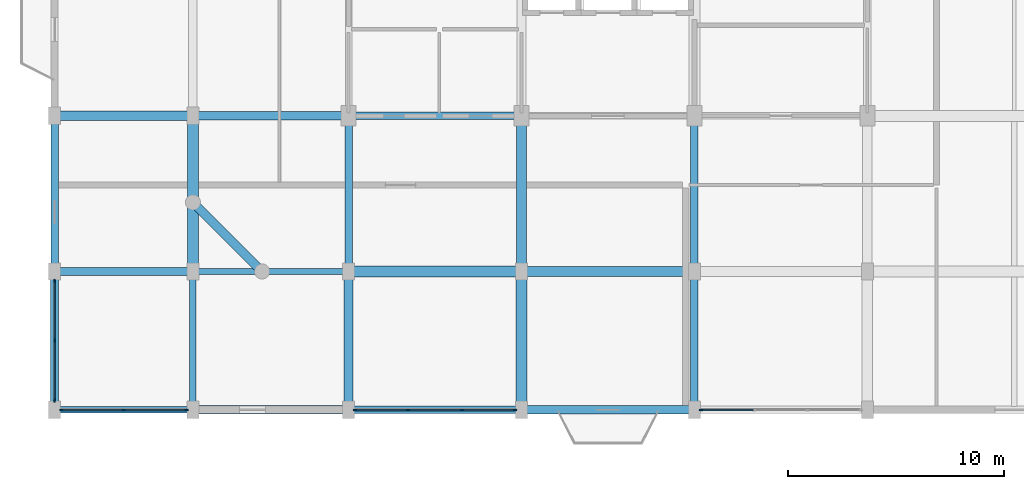
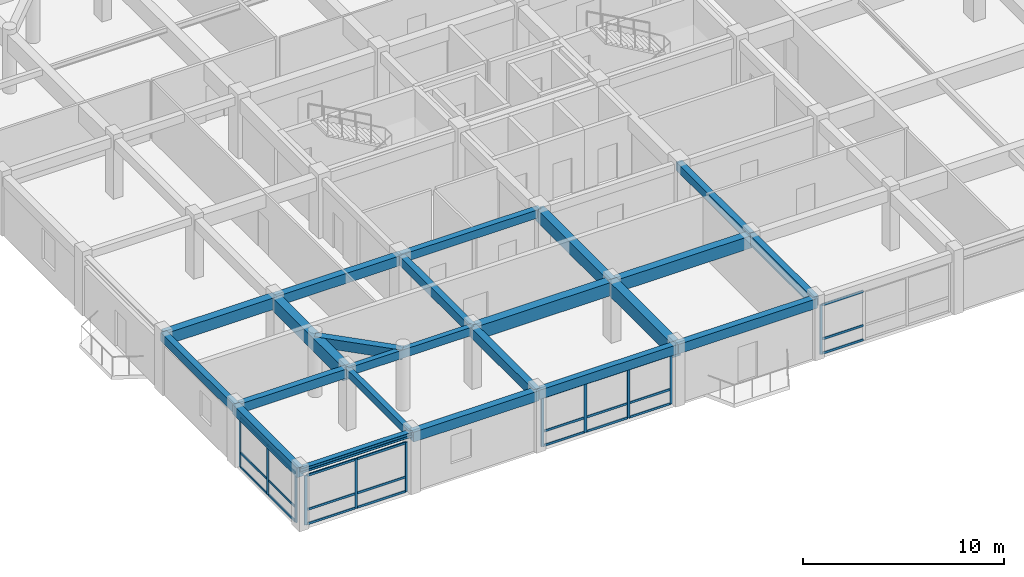
# One storey, part 2 of 15: 35 members, 22 beams, 4 elements without a shape of their own.
"""IFC4 building model written with IfcOpenShell, lengths in metres."""

from ifc_helpers import new_model, si_unit, direction, frame, origin, origin_2d, place, context, subcontext, project, spatial, rectangle, i_section, extrude, material, material_profile, profile_set, type_object, element, aggregate, save


model = new_model("IFC4")

# Units and contexts
model_context = context("Model", 3, precision=1e-05, world=origin(), true_north=direction((0.0, 1.0)))
body_context = subcontext(model_context, "Body", "Model", "MODEL_VIEW")
ifc_project = project(units=[si_unit("LENGTHUNIT", "METRE"), si_unit("AREAUNIT", "SQUARE_METRE"), si_unit("VOLUMEUNIT", "CUBIC_METRE"), si_unit("PLANEANGLEUNIT", "RADIAN"), si_unit("MASSUNIT", "GRAM", prefix="KILO")], contexts=[model_context])

# Site, building, storey
site_placement = place(None, origin())
site = spatial("IfcSite", under=ifc_project, at=site_placement, CompositionType="ELEMENT")
building_placement = place(site_placement, origin())
building = spatial("IfcBuilding", under=site, at=building_placement, Name="Vellmiral Cinema and Media Centre", CompositionType="ELEMENT")
storey_placement = place(building_placement, frame((0.0, 0.0, 35.60009765625)))
storey = spatial("IfcBuildingStorey", under=building, at=storey_placement, Name="L08", CompositionType="ELEMENT", Elevation=35.60009765625)

# Beams
ifc_material_1 = material(Name="Concrete C40/50", Category="concrete")
ifc_material_profile_1 = material_profile(ifc_material_1, rectangle(XDim=0.300048828125, YDim=0.449951171875, at=origin_2d()), Name="RC 300x450")
ifc_profile_set_1 = profile_set([ifc_material_profile_1], Name="Concrete C40/50")
beam_type_1 = type_object("IfcBeamType", Name="BM-RC-300x450", PredefinedType="BEAM", material=ifc_profile_set_1)
beam_1_placement = place(storey_placement, frame((116.800048828125, 65.60009765625, 3.369873046875), z_axis=(0.0, 1.0, 0.0), x_axis=(-1.0, 0.0, 0.0)))
element("IfcBeam", 1, at=beam_1_placement, inside=storey, type_object=beam_type_1, Name="Grid Beam L08-Y055", PredefinedType="BEAM", context=body_context, shape_type="SweptSolid", body=[
    extrude(rectangle(XDim=0.300048828125, YDim=0.449951171875, at=origin_2d()), origin(), (0.0, 0.0, 1.0), 6.39990234375),
])
ifc_material_2 = material(Name="Concrete C40/50", Category="concrete")
ifc_material_profile_2 = material_profile(ifc_material_2, rectangle(XDim=0.300048828125, YDim=0.5, at=origin_2d()), Name="RC 300x500")
ifc_profile_set_2 = profile_set([ifc_material_profile_2], Name="Concrete C40/50")
beam_type_2 = type_object("IfcBeamType", Name="BM-RC-300x500", PredefinedType="BEAM", material=ifc_profile_set_2)
beam_2_placement = place(storey_placement, frame((116.800048828125, 72.0, 3.344970703125), z_axis=(1.0, 0.0, 0.0), x_axis=(0.0, 1.0, 0.0)))
element("IfcBeam", 2, at=beam_2_placement, inside=storey, type_object=beam_type_2, Name="Grid Beam L08-X009", PredefinedType="BEAM", context=body_context, shape_type="SweptSolid", body=[
    extrude(rectangle(XDim=0.300048828125, YDim=0.5, at=origin_2d()), origin(), (0.0, 0.0, 1.0), 7.199951171875),
])
ifc_material_3 = material(Name="Concrete C40/50", Category="concrete")
ifc_material_profile_3 = material_profile(ifc_material_3, rectangle(XDim=0.35009765625, YDim=0.5, at=origin_2d()), Name="RC 350x500")
ifc_profile_set_3 = profile_set([ifc_material_profile_3], Name="Concrete C40/50")
beam_type_3 = type_object("IfcBeamType", Name="BM-RC-350x500", PredefinedType="BEAM", material=ifc_profile_set_3)
beam_3_placement = place(storey_placement, frame((124.0, 79.199951171875, 3.344970703125), z_axis=(1.0, 0.0, 0.0), x_axis=(0.0, 1.0, 0.0)))
element("IfcBeam", 3, at=beam_3_placement, inside=storey, type_object=beam_type_3, Name="Grid Beam L08-X017", PredefinedType="BEAM", context=body_context, shape_type="SweptSolid", body=[
    extrude(rectangle(XDim=0.35009765625, YDim=0.5, at=origin_2d()), origin(), (0.0, 0.0, 1.0), 8.0),
])
beam_4_placement = place(storey_placement, frame((140.0, 72.0, 3.344970703125), z_axis=(0.0, 1.0, 0.0), x_axis=(-1.0, 0.0, 0.0)))
element("IfcBeam", 4, at=beam_4_placement, inside=storey, type_object=beam_type_3, Name="Grid Beam L08-Y074", PredefinedType="BEAM", context=body_context, shape_type="SweptSolid", body=[
    extrude(rectangle(XDim=0.35009765625, YDim=0.5, at=origin_2d()), origin(), (0.0, 0.0, 1.0), 7.199951171875),
])
ifc_material_4 = material(Name="Concrete C40/50", Category="concrete")
ifc_material_profile_4 = material_profile(ifc_material_4, rectangle(XDim=0.35009765625, YDim=0.550048828125, at=origin_2d()), Name="RC 350x550")
ifc_profile_set_4 = profile_set([ifc_material_profile_4], Name="Concrete C40/50")
beam_type_4 = type_object("IfcBeamType", Name="BM-RC-350x550", PredefinedType="BEAM", material=ifc_profile_set_4)
beam_5_placement = place(storey_placement, frame((110.39990234375, 72.0, 3.31982421875), z_axis=(1.0, 0.0, 0.0), x_axis=(0.0, 1.0, 0.0)))
element("IfcBeam", 5, at=beam_5_placement, inside=storey, type_object=beam_type_4, Name="Grid Beam L08-X008", PredefinedType="BEAM", context=body_context, shape_type="SweptSolid", body=[
    extrude(rectangle(XDim=0.35009765625, YDim=0.550048828125, at=origin_2d()), origin(), (0.0, 0.0, 1.0), 6.400146484375),
])
beam_6_placement = place(storey_placement, frame((124.0, 72.0, 3.31982421875), z_axis=(0.0, 1.0, 0.0), x_axis=(-1.0, 0.0, 0.0)))
element("IfcBeam", 6, at=beam_6_placement, inside=storey, type_object=beam_type_4, Name="Grid Beam L08-Y062", PredefinedType="BEAM", context=body_context, shape_type="SweptSolid", body=[
    extrude(rectangle(XDim=0.35009765625, YDim=0.550048828125, at=origin_2d()), origin(), (0.0, 0.0, 1.0), 7.199951171875),
])
ifc_material_5 = material(Name="Concrete C40/50", Category="concrete")
ifc_material_profile_5 = material_profile(ifc_material_5, rectangle(XDim=0.35009765625, YDim=0.60009765625, at=origin_2d()), Name="RC 350x600")
ifc_profile_set_5 = profile_set([ifc_material_profile_5], Name="Concrete C40/50")
beam_type_5 = type_object("IfcBeamType", Name="BM-RC-350x600", PredefinedType="BEAM", material=ifc_profile_set_5)
beam_7_placement = place(storey_placement, frame((140.0, 65.60009765625, 3.294921875), z_axis=(0.0, 1.0, 0.0), x_axis=(-1.0, 0.0, 0.0)))
element("IfcBeam", 7, at=beam_7_placement, inside=storey, type_object=beam_type_5, Name="Grid Beam L08-Y073", PredefinedType="BEAM", context=body_context, shape_type="SweptSolid", body=[
    extrude(rectangle(XDim=0.35009765625, YDim=0.60009765625, at=origin_2d()), origin(), (0.0, 0.0, 1.0), 6.39990234375),
])
ifc_material_6 = material(Name="Concrete C40/50", Category="concrete")
ifc_material_profile_6 = material_profile(ifc_material_6, rectangle(XDim=0.39990234375, YDim=0.60009765625, at=origin_2d()), Name="RC 400x600")
ifc_profile_set_6 = profile_set([ifc_material_profile_6], Name="Concrete C40/50")
beam_type_6 = type_object("IfcBeamType", Name="BM-RC-400x600", PredefinedType="BEAM", material=ifc_profile_set_6)
beam_8_placement = place(storey_placement, frame((116.800048828125, 79.199951171875, 3.294921875), z_axis=(1.0, 0.0, 0.0), x_axis=(0.0, 1.0, 0.0)))
element("IfcBeam", 8, at=beam_8_placement, inside=storey, type_object=beam_type_6, Name="Grid Beam L08-X016", PredefinedType="BEAM", context=body_context, shape_type="SweptSolid", body=[
    extrude(rectangle(XDim=0.39990234375, YDim=0.60009765625, at=origin_2d()), origin(), (0.0, 0.0, 1.0), 7.199951171875),
])
beam_9_placement = place(storey_placement, frame((124.0, 65.60009765625, 3.294921875), z_axis=(0.0, 1.0, 0.0), x_axis=(-1.0, 0.0, 0.0)))
element("IfcBeam", 9, at=beam_9_placement, inside=storey, type_object=beam_type_6, Name="Grid Beam L08-Y061", PredefinedType="BEAM", context=body_context, shape_type="SweptSolid", body=[
    extrude(rectangle(XDim=0.39990234375, YDim=0.60009765625, at=origin_2d()), origin(), (0.0, 0.0, 1.0), 6.39990234375),
])
ifc_material_7 = material(Name="Concrete C40/50", Category="concrete")
ifc_material_profile_7 = material_profile(ifc_material_7, rectangle(XDim=0.449951171875, YDim=0.699951171875, at=origin_2d()), Name="RC 450x700")
ifc_profile_set_7 = profile_set([ifc_material_profile_7], Name="Concrete C40/50")
beam_type_7 = type_object("IfcBeamType", Name="BM-RC-450x700", PredefinedType="BEAM", material=ifc_profile_set_7)
beam_10_placement = place(storey_placement, frame((110.39990234375, 79.199951171875, 3.244873046875), z_axis=(1.0, 0.0, 0.0), x_axis=(0.0, 1.0, 0.0)))
element("IfcBeam", 10, at=beam_10_placement, inside=storey, type_object=beam_type_7, Name="Grid Beam L08-X015", PredefinedType="BEAM", context=body_context, shape_type="SweptSolid", body=[
    extrude(rectangle(XDim=0.449951171875, YDim=0.699951171875, at=origin_2d()), origin(), (0.0, 0.0, 1.0), 6.400146484375),
])
ifc_material_8 = material(Name="Concrete C40/50", Category="concrete")
ifc_material_profile_8 = material_profile(ifc_material_8, rectangle(XDim=0.449951171875, YDim=0.75, at=origin_2d()), Name="RC 450x750")
ifc_profile_set_8 = profile_set([ifc_material_profile_8], Name="Concrete C40/50")
beam_type_8 = type_object("IfcBeamType", Name="BM-RC-450x750", PredefinedType="BEAM", material=ifc_profile_set_8)
beam_11_placement = place(storey_placement, frame((132.0, 72.0, 3.219970703125), z_axis=(1.0, 0.0, 0.0), x_axis=(0.0, 1.0, 0.0)))
element("IfcBeam", 11, at=beam_11_placement, inside=storey, type_object=beam_type_8, Name="Grid Beam L08-X011", PredefinedType="BEAM", context=body_context, shape_type="SweptSolid", body=[
    extrude(rectangle(XDim=0.449951171875, YDim=0.75, at=origin_2d()), origin(), (0.0, 0.0, 1.0), 8.0),
])
beam_12_placement = place(storey_placement, frame((132.0, 72.0, 3.219970703125), z_axis=(0.0, 1.0, 0.0), x_axis=(-1.0, 0.0, 0.0)))
element("IfcBeam", 12, at=beam_12_placement, inside=storey, type_object=beam_type_8, Name="Grid Beam L08-Y068", PredefinedType="BEAM", context=body_context, shape_type="SweptSolid", body=[
    extrude(rectangle(XDim=0.449951171875, YDim=0.75, at=origin_2d()), origin(), (0.0, 0.0, 1.0), 7.199951171875),
])
ifc_material_9 = material(Name="Concrete C40/50", Category="concrete")
ifc_material_profile_9 = material_profile(ifc_material_9, rectangle(XDim=0.5, YDim=0.800048828125, at=origin_2d()), Name="RC 500x800")
ifc_profile_set_9 = profile_set([ifc_material_profile_9], Name="Concrete C40/50")
beam_type_9 = type_object("IfcBeamType", Name="BM-RC-500x800", PredefinedType="BEAM", material=ifc_profile_set_9)
beam_13_placement = place(storey_placement, frame((124.0, 72.0, 3.19482421875), z_axis=(1.0, 0.0, 0.0), x_axis=(0.0, 1.0, 0.0)))
element("IfcBeam", 13, at=beam_13_placement, inside=storey, type_object=beam_type_9, Name="Grid Beam L08-X010", PredefinedType="BEAM", context=body_context, shape_type="SweptSolid", body=[
    extrude(rectangle(XDim=0.5, YDim=0.800048828125, at=origin_2d()), origin(), (0.0, 0.0, 1.0), 8.0),
])
beam_14_placement = place(storey_placement, frame((116.800048828125, 72.0, 3.19482421875), z_axis=(0.0, 1.0, 0.0), x_axis=(-1.0, 0.0, 0.0)))
element("IfcBeam", 14, at=beam_14_placement, inside=storey, type_object=beam_type_9, Name="Grid Beam L08-Y056", PredefinedType="BEAM", context=body_context, shape_type="SweptSolid", body=[
    extrude(rectangle(XDim=0.5, YDim=0.800048828125, at=origin_2d()), origin(), (0.0, 0.0, 1.0), 7.199951171875),
])
ifc_material_10 = material(Name="Concrete C40/50", Category="concrete")
ifc_material_profile_10 = material_profile(ifc_material_10, rectangle(XDim=0.5, YDim=0.85009765625, at=origin_2d()), Name="RC 500x850")
ifc_profile_set_10 = profile_set([ifc_material_profile_10], Name="Concrete C40/50")
beam_type_10 = type_object("IfcBeamType", Name="BM-RC-500x850", PredefinedType="BEAM", material=ifc_profile_set_10)
beam_15_placement = place(storey_placement, frame((132.0, 65.60009765625, 3.169921875), z_axis=(0.0, 1.0, 0.0), x_axis=(-1.0, 0.0, 0.0)))
element("IfcBeam", 15, at=beam_15_placement, inside=storey, type_object=beam_type_10, Name="Grid Beam L08-Y067", PredefinedType="BEAM", context=body_context, shape_type="SweptSolid", body=[
    extrude(rectangle(XDim=0.5, YDim=0.85009765625, at=origin_2d()), origin(), (0.0, 0.0, 1.0), 6.39990234375),
])

# Curtain wall, members
ifc_material_11 = material(Name="Thermally Broken Aluminium and Triple Glazing", Category="aluminium")
curtain_wall_type_1 = type_object("IfcCurtainWallType", Name="CW-TOWER-LOW-S", PredefinedType="USERDEFINED", material=ifc_material_11)
curtain_wall_1_placement = place(storey_placement, origin())
curtain_wall_1 = element("IfcCurtainWall", 16, at=curtain_wall_1_placement, inside=storey, type_object=curtain_wall_type_1, Name="Curtain Wall L08-B001", ObjectType="UNITISED CURTAIN WALL", PredefinedType="USERDEFINED")
ifc_material_12 = material(Name="Thermally Broken Anodised Aluminium", Category="aluminium")
ifc_material_profile_11 = material_profile(ifc_material_12, rectangle(XDim=0.06494140625, YDim=0.159912109375, at=origin_2d()), Name="MULL 65x160")
ifc_profile_set_11 = profile_set([ifc_material_profile_11], Name="Thermally Broken Anodised Aluminium")
member_type_1 = type_object("IfcMemberType", Name="CWM-65x160", PredefinedType="MULLION", material=ifc_profile_set_11)
member_1_placement = place(storey_placement, frame((110.70751953125, 65.60009765625, 0.0), z_axis=(0.0, 0.0, 1.0), x_axis=(0.0, 1.0, 0.0)))
member_1 = element("IfcMember", 17, at=member_1_placement, type_object=member_type_1, Name="CW-06 mullion 1", PredefinedType="MULLION", context=body_context, shape_type="SweptSolid", body=[
    extrude(rectangle(XDim=0.06494140625, YDim=0.159912109375, at=origin_2d()), origin(), (0.0, 0.0, 1.0), 3.0),
])
member_2_placement = place(storey_placement, frame((113.60009765625, 65.60009765625, 0.0), z_axis=(0.0, 0.0, 1.0), x_axis=(0.0, 1.0, 0.0)))
member_2 = element("IfcMember", 18, at=member_2_placement, type_object=member_type_1, Name="CW-06 mullion 2", PredefinedType="MULLION", context=body_context, shape_type="SweptSolid", body=[
    extrude(rectangle(XDim=0.06494140625, YDim=0.159912109375, at=origin_2d()), origin(), (0.0, 0.0, 1.0), 3.0),
])
member_3_placement = place(storey_placement, frame((116.492431640625, 65.60009765625, 0.0), z_axis=(0.0, 0.0, 1.0), x_axis=(0.0, 1.0, 0.0)))
member_3 = element("IfcMember", 19, at=member_3_placement, type_object=member_type_1, Name="CW-06 mullion 3", PredefinedType="MULLION", context=body_context, shape_type="SweptSolid", body=[
    extrude(rectangle(XDim=0.06494140625, YDim=0.159912109375, at=origin_2d()), origin(), (0.0, 0.0, 1.0), 3.0),
])

curtain_wall_2_placement = place(storey_placement, origin())
curtain_wall_2 = element("IfcCurtainWall", 20, at=curtain_wall_2_placement, inside=storey, type_object=curtain_wall_type_1, Name="Curtain Wall L08-B003", ObjectType="UNITISED CURTAIN WALL", PredefinedType="USERDEFINED")
member_4_placement = place(storey_placement, frame((124.3076171875, 65.60009765625, 0.0), z_axis=(0.0, 0.0, 1.0), x_axis=(0.0, 1.0, 0.0)))
member_4 = element("IfcMember", 21, at=member_4_placement, type_object=member_type_1, Name="CW-06 mullion 1", PredefinedType="MULLION", context=body_context, shape_type="SweptSolid", body=[
    extrude(rectangle(XDim=0.06494140625, YDim=0.159912109375, at=origin_2d()), origin(), (0.0, 0.0, 1.0), 3.0),
])
member_5_placement = place(storey_placement, frame((126.75830078125, 65.60009765625, 0.0), z_axis=(0.0, 0.0, 1.0), x_axis=(0.0, 1.0, 0.0)))
member_5 = element("IfcMember", 22, at=member_5_placement, type_object=member_type_1, Name="CW-06 mullion 2", PredefinedType="MULLION", context=body_context, shape_type="SweptSolid", body=[
    extrude(rectangle(XDim=0.06494140625, YDim=0.159912109375, at=origin_2d()), origin(), (0.0, 0.0, 1.0), 3.0),
])
member_6_placement = place(storey_placement, frame((129.24169921875, 65.60009765625, 0.0), z_axis=(0.0, 0.0, 1.0), x_axis=(0.0, 1.0, 0.0)))
member_6 = element("IfcMember", 23, at=member_6_placement, type_object=member_type_1, Name="CW-06 mullion 3", PredefinedType="MULLION", context=body_context, shape_type="SweptSolid", body=[
    extrude(rectangle(XDim=0.06494140625, YDim=0.159912109375, at=origin_2d()), origin(), (0.0, 0.0, 1.0), 3.0),
])
member_7_placement = place(storey_placement, frame((131.6923828125, 65.60009765625, 0.0), z_axis=(0.0, 0.0, 1.0), x_axis=(0.0, 1.0, 0.0)))
member_7 = element("IfcMember", 24, at=member_7_placement, type_object=member_type_1, Name="CW-06 mullion 4", PredefinedType="MULLION", context=body_context, shape_type="SweptSolid", body=[
    extrude(rectangle(XDim=0.06494140625, YDim=0.159912109375, at=origin_2d()), origin(), (0.0, 0.0, 1.0), 3.0),
])

# Curtain wall, member
curtain_wall_3_placement = place(storey_placement, origin())
curtain_wall_3 = element("IfcCurtainWall", 25, at=curtain_wall_3_placement, inside=storey, type_object=curtain_wall_type_1, Name="Curtain Wall L08-B005", ObjectType="UNITISED CURTAIN WALL", PredefinedType="USERDEFINED")
member_8_placement = place(storey_placement, frame((140.3076171875, 65.60009765625, 0.0), z_axis=(0.0, 0.0, 1.0), x_axis=(0.0, 1.0, 0.0)))
member_8 = element("IfcMember", 26, at=member_8_placement, type_object=member_type_1, Name="CW-06 mullion 1", PredefinedType="MULLION", context=body_context, shape_type="SweptSolid", body=[
    extrude(rectangle(XDim=0.06494140625, YDim=0.159912109375, at=origin_2d()), origin(), (0.0, 0.0, 1.0), 3.0),
])

# Curtain wall, members
ifc_material_13 = material(Name="Thermally Broken Aluminium and Triple Glazing", Category="aluminium")
curtain_wall_type_2 = type_object("IfcCurtainWallType", Name="CW-TOWER-LOW-N", PredefinedType="USERDEFINED", material=ifc_material_13)
curtain_wall_4_placement = place(storey_placement, origin())
curtain_wall_4 = element("IfcCurtainWall", 27, at=curtain_wall_4_placement, inside=storey, type_object=curtain_wall_type_2, Name="Curtain Wall L08-B029", ObjectType="UNITISED CURTAIN WALL", PredefinedType="USERDEFINED")
member_9_placement = place(storey_placement, frame((110.39990234375, 71.5673828125, 0.0), z_axis=(0.0, 0.0, 1.0), x_axis=(1.0, 0.0, 0.0)))
member_9 = element("IfcMember", 28, at=member_9_placement, type_object=member_type_1, Name="CW-05 mullion 1", PredefinedType="MULLION", context=body_context, shape_type="SweptSolid", body=[
    extrude(rectangle(XDim=0.06494140625, YDim=0.159912109375, at=origin_2d()), origin(), (0.0, 0.0, 1.0), 3.0),
])
member_10_placement = place(storey_placement, frame((110.39990234375, 68.800048828125, 0.0), z_axis=(0.0, 0.0, 1.0), x_axis=(1.0, 0.0, 0.0)))
member_10 = element("IfcMember", 29, at=member_10_placement, type_object=member_type_1, Name="CW-05 mullion 2", PredefinedType="MULLION", context=body_context, shape_type="SweptSolid", body=[
    extrude(rectangle(XDim=0.06494140625, YDim=0.159912109375, at=origin_2d()), origin(), (0.0, 0.0, 1.0), 3.0),
])
member_11_placement = place(storey_placement, frame((110.39990234375, 66.032470703125, 0.0), z_axis=(0.0, 0.0, 1.0), x_axis=(1.0, 0.0, 0.0)))
member_11 = element("IfcMember", 30, at=member_11_placement, type_object=member_type_1, Name="CW-05 mullion 3", PredefinedType="MULLION", context=body_context, shape_type="SweptSolid", body=[
    extrude(rectangle(XDim=0.06494140625, YDim=0.159912109375, at=origin_2d()), origin(), (0.0, 0.0, 1.0), 3.0),
])

# Member
ifc_material_14 = material(Name="Thermally Broken Anodised Aluminium", Category="aluminium")
ifc_material_profile_12 = material_profile(ifc_material_14, rectangle(XDim=0.06494140625, YDim=0.135009765625, at=origin_2d()), Name="MULL 65x135")
ifc_profile_set_12 = profile_set([ifc_material_profile_12], Name="Thermally Broken Anodised Aluminium")
member_type_2 = type_object("IfcMemberType", Name="CWT-65x135", PredefinedType="USERDEFINED", material=ifc_profile_set_12)
member_12_placement = place(storey_placement, frame((110.739990234375, 65.60009765625, 0.032470703125), z_axis=(1.0, 0.0, 0.0), x_axis=(0.0, 1.0, 0.0)))
member_12 = element("IfcMember", 31, at=member_12_placement, type_object=member_type_2, Name="CW-06 transom 1.1", ObjectType="TRANSOM", PredefinedType="USERDEFINED", context=body_context, shape_type="SweptSolid", body=[
    extrude(rectangle(XDim=0.06494140625, YDim=0.135009765625, at=origin_2d()), origin(), (0.0, 0.0, 1.0), 2.827392578125),
])

member_13_placement = place(storey_placement, frame((110.739990234375, 65.60009765625, 0.89990234375), z_axis=(1.0, 0.0, 0.0), x_axis=(0.0, 1.0, 0.0)))
member_13 = element("IfcMember", 32, at=member_13_placement, type_object=member_type_2, Name="CW-06 transom 1.2", ObjectType="TRANSOM", PredefinedType="USERDEFINED", context=body_context, shape_type="SweptSolid", body=[
    extrude(rectangle(XDim=0.06494140625, YDim=0.135009765625, at=origin_2d()), origin(), (0.0, 0.0, 1.0), 2.827392578125),
])

member_14_placement = place(storey_placement, frame((110.739990234375, 65.60009765625, 2.96728515625), z_axis=(1.0, 0.0, 0.0), x_axis=(0.0, 1.0, 0.0)))
member_14 = element("IfcMember", 33, at=member_14_placement, type_object=member_type_2, Name="CW-06 transom 1.3", ObjectType="TRANSOM", PredefinedType="USERDEFINED", context=body_context, shape_type="SweptSolid", body=[
    extrude(rectangle(XDim=0.06494140625, YDim=0.135009765625, at=origin_2d()), origin(), (0.0, 0.0, 1.0), 2.827392578125),
])

member_15_placement = place(storey_placement, frame((113.632568359375, 65.60009765625, 0.032470703125), z_axis=(1.0, 0.0, 0.0), x_axis=(0.0, 1.0, 0.0)))
member_15 = element("IfcMember", 34, at=member_15_placement, type_object=member_type_2, Name="CW-06 transom 2.1", ObjectType="TRANSOM", PredefinedType="USERDEFINED", context=body_context, shape_type="SweptSolid", body=[
    extrude(rectangle(XDim=0.06494140625, YDim=0.135009765625, at=origin_2d()), origin(), (0.0, 0.0, 1.0), 2.827392578125),
])

member_16_placement = place(storey_placement, frame((113.632568359375, 65.60009765625, 0.89990234375), z_axis=(1.0, 0.0, 0.0), x_axis=(0.0, 1.0, 0.0)))
member_16 = element("IfcMember", 35, at=member_16_placement, type_object=member_type_2, Name="CW-06 transom 2.2", ObjectType="TRANSOM", PredefinedType="USERDEFINED", context=body_context, shape_type="SweptSolid", body=[
    extrude(rectangle(XDim=0.06494140625, YDim=0.135009765625, at=origin_2d()), origin(), (0.0, 0.0, 1.0), 2.827392578125),
])

member_17_placement = place(storey_placement, frame((113.632568359375, 65.60009765625, 2.96728515625), z_axis=(1.0, 0.0, 0.0), x_axis=(0.0, 1.0, 0.0)))
member_17 = element("IfcMember", 36, at=member_17_placement, type_object=member_type_2, Name="CW-06 transom 2.3", ObjectType="TRANSOM", PredefinedType="USERDEFINED", context=body_context, shape_type="SweptSolid", body=[
    extrude(rectangle(XDim=0.06494140625, YDim=0.135009765625, at=origin_2d()), origin(), (0.0, 0.0, 1.0), 2.827392578125),
])

aggregate(curtain_wall_1, [member_1, member_2, member_3, member_12, member_13, member_14, member_15, member_16, member_17])

member_18_placement = place(storey_placement, frame((124.340087890625, 65.60009765625, 0.032470703125), z_axis=(1.0, 0.0, 0.0), x_axis=(0.0, 1.0, 0.0)))
member_18 = element("IfcMember", 37, at=member_18_placement, type_object=member_type_2, Name="CW-06 transom 1.1", ObjectType="TRANSOM", PredefinedType="USERDEFINED", context=body_context, shape_type="SweptSolid", body=[
    extrude(rectangle(XDim=0.06494140625, YDim=0.135009765625, at=origin_2d()), origin(), (0.0, 0.0, 1.0), 2.3857421875),
])

member_19_placement = place(storey_placement, frame((124.340087890625, 65.60009765625, 0.89990234375), z_axis=(1.0, 0.0, 0.0), x_axis=(0.0, 1.0, 0.0)))
member_19 = element("IfcMember", 38, at=member_19_placement, type_object=member_type_2, Name="CW-06 transom 1.2", ObjectType="TRANSOM", PredefinedType="USERDEFINED", context=body_context, shape_type="SweptSolid", body=[
    extrude(rectangle(XDim=0.06494140625, YDim=0.135009765625, at=origin_2d()), origin(), (0.0, 0.0, 1.0), 2.3857421875),
])

member_20_placement = place(storey_placement, frame((124.340087890625, 65.60009765625, 2.96728515625), z_axis=(1.0, 0.0, 0.0), x_axis=(0.0, 1.0, 0.0)))
member_20 = element("IfcMember", 39, at=member_20_placement, type_object=member_type_2, Name="CW-06 transom 1.3", ObjectType="TRANSOM", PredefinedType="USERDEFINED", context=body_context, shape_type="SweptSolid", body=[
    extrude(rectangle(XDim=0.06494140625, YDim=0.135009765625, at=origin_2d()), origin(), (0.0, 0.0, 1.0), 2.3857421875),
])

member_21_placement = place(storey_placement, frame((126.790771484375, 65.60009765625, 0.032470703125), z_axis=(1.0, 0.0, 0.0), x_axis=(0.0, 1.0, 0.0)))
member_21 = element("IfcMember", 40, at=member_21_placement, type_object=member_type_2, Name="CW-06 transom 2.1", ObjectType="TRANSOM", PredefinedType="USERDEFINED", context=body_context, shape_type="SweptSolid", body=[
    extrude(rectangle(XDim=0.06494140625, YDim=0.135009765625, at=origin_2d()), origin(), (0.0, 0.0, 1.0), 2.41845703125),
])

member_22_placement = place(storey_placement, frame((126.790771484375, 65.60009765625, 0.89990234375), z_axis=(1.0, 0.0, 0.0), x_axis=(0.0, 1.0, 0.0)))
member_22 = element("IfcMember", 41, at=member_22_placement, type_object=member_type_2, Name="CW-06 transom 2.2", ObjectType="TRANSOM", PredefinedType="USERDEFINED", context=body_context, shape_type="SweptSolid", body=[
    extrude(rectangle(XDim=0.06494140625, YDim=0.135009765625, at=origin_2d()), origin(), (0.0, 0.0, 1.0), 2.41845703125),
])

member_23_placement = place(storey_placement, frame((126.790771484375, 65.60009765625, 2.96728515625), z_axis=(1.0, 0.0, 0.0), x_axis=(0.0, 1.0, 0.0)))
member_23 = element("IfcMember", 42, at=member_23_placement, type_object=member_type_2, Name="CW-06 transom 2.3", ObjectType="TRANSOM", PredefinedType="USERDEFINED", context=body_context, shape_type="SweptSolid", body=[
    extrude(rectangle(XDim=0.06494140625, YDim=0.135009765625, at=origin_2d()), origin(), (0.0, 0.0, 1.0), 2.41845703125),
])

member_24_placement = place(storey_placement, frame((129.274169921875, 65.60009765625, 0.032470703125), z_axis=(1.0, 0.0, 0.0), x_axis=(0.0, 1.0, 0.0)))
member_24 = element("IfcMember", 43, at=member_24_placement, type_object=member_type_2, Name="CW-06 transom 3.1", ObjectType="TRANSOM", PredefinedType="USERDEFINED", context=body_context, shape_type="SweptSolid", body=[
    extrude(rectangle(XDim=0.06494140625, YDim=0.135009765625, at=origin_2d()), origin(), (0.0, 0.0, 1.0), 2.3857421875),
])

member_25_placement = place(storey_placement, frame((129.274169921875, 65.60009765625, 0.89990234375), z_axis=(1.0, 0.0, 0.0), x_axis=(0.0, 1.0, 0.0)))
member_25 = element("IfcMember", 44, at=member_25_placement, type_object=member_type_2, Name="CW-06 transom 3.2", ObjectType="TRANSOM", PredefinedType="USERDEFINED", context=body_context, shape_type="SweptSolid", body=[
    extrude(rectangle(XDim=0.06494140625, YDim=0.135009765625, at=origin_2d()), origin(), (0.0, 0.0, 1.0), 2.3857421875),
])

member_26_placement = place(storey_placement, frame((129.274169921875, 65.60009765625, 2.96728515625), z_axis=(1.0, 0.0, 0.0), x_axis=(0.0, 1.0, 0.0)))
member_26 = element("IfcMember", 45, at=member_26_placement, type_object=member_type_2, Name="CW-06 transom 3.3", ObjectType="TRANSOM", PredefinedType="USERDEFINED", context=body_context, shape_type="SweptSolid", body=[
    extrude(rectangle(XDim=0.06494140625, YDim=0.135009765625, at=origin_2d()), origin(), (0.0, 0.0, 1.0), 2.3857421875),
])

aggregate(curtain_wall_2, [member_4, member_5, member_6, member_7, member_18, member_19, member_20, member_21, member_22, member_23, member_24, member_25, member_26])

member_27_placement = place(storey_placement, frame((140.340087890625, 65.60009765625, 0.032470703125), z_axis=(1.0, 0.0, 0.0), x_axis=(0.0, 1.0, 0.0)))
member_27 = element("IfcMember", 46, at=member_27_placement, type_object=member_type_2, Name="CW-06 transom 1.1", ObjectType="TRANSOM", PredefinedType="USERDEFINED", context=body_context, shape_type="SweptSolid", body=[
    extrude(rectangle(XDim=0.06494140625, YDim=0.135009765625, at=origin_2d()), origin(), (0.0, 0.0, 1.0), 2.3857421875),
])

member_28_placement = place(storey_placement, frame((140.340087890625, 65.60009765625, 0.89990234375), z_axis=(1.0, 0.0, 0.0), x_axis=(0.0, 1.0, 0.0)))
member_28 = element("IfcMember", 47, at=member_28_placement, type_object=member_type_2, Name="CW-06 transom 1.2", ObjectType="TRANSOM", PredefinedType="USERDEFINED", context=body_context, shape_type="SweptSolid", body=[
    extrude(rectangle(XDim=0.06494140625, YDim=0.135009765625, at=origin_2d()), origin(), (0.0, 0.0, 1.0), 2.3857421875),
])

member_29_placement = place(storey_placement, frame((140.340087890625, 65.60009765625, 2.96728515625), z_axis=(1.0, 0.0, 0.0), x_axis=(0.0, 1.0, 0.0)))
member_29 = element("IfcMember", 48, at=member_29_placement, type_object=member_type_2, Name="CW-06 transom 1.3", ObjectType="TRANSOM", PredefinedType="USERDEFINED", context=body_context, shape_type="SweptSolid", body=[
    extrude(rectangle(XDim=0.06494140625, YDim=0.135009765625, at=origin_2d()), origin(), (0.0, 0.0, 1.0), 2.3857421875),
])

aggregate(curtain_wall_3, [member_8, member_27, member_28, member_29])

member_30_placement = place(storey_placement, frame((110.39990234375, 71.534912109375, 0.032470703125), z_axis=(0.0, -1.0, 0.0), x_axis=(1.0, 0.0, 0.0)))
member_30 = element("IfcMember", 49, at=member_30_placement, type_object=member_type_2, Name="CW-05 transom 1.1", ObjectType="TRANSOM", PredefinedType="USERDEFINED", context=body_context, shape_type="SweptSolid", body=[
    extrude(rectangle(XDim=0.06494140625, YDim=0.135009765625, at=origin_2d()), origin(), (0.0, 0.0, 1.0), 2.702392578125),
])

member_31_placement = place(storey_placement, frame((110.39990234375, 71.534912109375, 0.89990234375), z_axis=(0.0, -1.0, 0.0), x_axis=(1.0, 0.0, 0.0)))
member_31 = element("IfcMember", 50, at=member_31_placement, type_object=member_type_2, Name="CW-05 transom 1.2", ObjectType="TRANSOM", PredefinedType="USERDEFINED", context=body_context, shape_type="SweptSolid", body=[
    extrude(rectangle(XDim=0.06494140625, YDim=0.135009765625, at=origin_2d()), origin(), (0.0, 0.0, 1.0), 2.702392578125),
])

member_32_placement = place(storey_placement, frame((110.39990234375, 71.534912109375, 2.96728515625), z_axis=(0.0, -1.0, 0.0), x_axis=(1.0, 0.0, 0.0)))
member_32 = element("IfcMember", 51, at=member_32_placement, type_object=member_type_2, Name="CW-05 transom 1.3", ObjectType="TRANSOM", PredefinedType="USERDEFINED", context=body_context, shape_type="SweptSolid", body=[
    extrude(rectangle(XDim=0.06494140625, YDim=0.135009765625, at=origin_2d()), origin(), (0.0, 0.0, 1.0), 2.702392578125),
])

member_33_placement = place(storey_placement, frame((110.39990234375, 68.767578125, 0.032470703125), z_axis=(0.0, -1.0, 0.0), x_axis=(1.0, 0.0, 0.0)))
member_33 = element("IfcMember", 52, at=member_33_placement, type_object=member_type_2, Name="CW-05 transom 2.1", ObjectType="TRANSOM", PredefinedType="USERDEFINED", context=body_context, shape_type="SweptSolid", body=[
    extrude(rectangle(XDim=0.06494140625, YDim=0.135009765625, at=origin_2d()), origin(), (0.0, 0.0, 1.0), 2.70263671875),
])

member_34_placement = place(storey_placement, frame((110.39990234375, 68.767578125, 0.89990234375), z_axis=(0.0, -1.0, 0.0), x_axis=(1.0, 0.0, 0.0)))
member_34 = element("IfcMember", 53, at=member_34_placement, type_object=member_type_2, Name="CW-05 transom 2.2", ObjectType="TRANSOM", PredefinedType="USERDEFINED", context=body_context, shape_type="SweptSolid", body=[
    extrude(rectangle(XDim=0.06494140625, YDim=0.135009765625, at=origin_2d()), origin(), (0.0, 0.0, 1.0), 2.70263671875),
])

member_35_placement = place(storey_placement, frame((110.39990234375, 68.767578125, 2.96728515625), z_axis=(0.0, -1.0, 0.0), x_axis=(1.0, 0.0, 0.0)))
member_35 = element("IfcMember", 54, at=member_35_placement, type_object=member_type_2, Name="CW-05 transom 2.3", ObjectType="TRANSOM", PredefinedType="USERDEFINED", context=body_context, shape_type="SweptSolid", body=[
    extrude(rectangle(XDim=0.06494140625, YDim=0.135009765625, at=origin_2d()), origin(), (0.0, 0.0, 1.0), 2.70263671875),
])

aggregate(curtain_wall_4, [member_9, member_10, member_11, member_30, member_31, member_32, member_33, member_34, member_35])

# Beams
ifc_material_15 = material(Name="Steel S355", Category="steel")
ifc_material_profile_13 = material_profile(ifc_material_15, i_section(OverallWidth=0.300048828125, OverallDepth=0.300048828125, WebThickness=0.010986328125, FlangeThickness=0.01904296875, FilletRadius=0.027099609375, at=origin_2d()), Name="HEB 300")
ifc_profile_set_13 = profile_set([ifc_material_profile_13], Name="Steel S355")
beam_type_11 = type_object("IfcBeamType", Name="SBM-HEB300", PredefinedType="SPANDREL", material=ifc_profile_set_13)
beam_16_placement = place(storey_placement, frame((110.39990234375, 65.60009765625, 3.44482421875), z_axis=(1.0, 0.0, 0.0), x_axis=(0.0, 1.0, 0.0)))
element("IfcBeam", 55, at=beam_16_placement, inside=storey, type_object=beam_type_11, Name="Grid Beam L08-X001", PredefinedType="SPANDREL", context=body_context, shape_type="SweptSolid", body=[
    extrude(i_section(OverallWidth=0.300048828125, OverallDepth=0.300048828125, WebThickness=0.010986328125, FlangeThickness=0.01904296875, FilletRadius=0.027099609375, at=origin_2d()), origin(), (0.0, 0.0, 1.0), 6.400146484375),
])
ifc_material_16 = material(Name="Concrete C40/50", Category="concrete")
ifc_material_profile_14 = material_profile(ifc_material_16, rectangle(XDim=0.35009765625, YDim=0.56005859375, at=origin_2d()), Name="RC 350x560")
ifc_profile_set_14 = profile_set([ifc_material_profile_14], Name="Concrete C40/50")
beam_type_12 = type_object("IfcBeamType", Name="SPD-RC-350x560", PredefinedType="SPANDREL", material=ifc_profile_set_14)
beam_17_placement = place(storey_placement, frame((124.0, 65.60009765625, 3.31494140625), z_axis=(1.0, 0.0, 0.0), x_axis=(0.0, 1.0, 0.0)))
element("IfcBeam", 56, at=beam_17_placement, inside=storey, type_object=beam_type_12, Name="Grid Beam L08-X003", PredefinedType="SPANDREL", context=body_context, shape_type="SweptSolid", body=[
    extrude(rectangle(XDim=0.35009765625, YDim=0.56005859375, at=origin_2d()), origin(), (0.0, 0.0, 1.0), 8.0),
])
ifc_material_17 = material(Name="Concrete C40/50", Category="concrete")
ifc_material_profile_15 = material_profile(ifc_material_17, rectangle(XDim=0.39990234375, YDim=0.60009765625, at=origin_2d()), Name="RC 400x600")
ifc_profile_set_15 = profile_set([ifc_material_profile_15], Name="Concrete C40/50")
beam_type_13 = type_object("IfcBeamType", Name="SPD-RC-400x600", PredefinedType="SPANDREL", material=ifc_profile_set_15)
beam_18_placement = place(storey_placement, frame((116.800048828125, 65.60009765625, 3.294921875), z_axis=(1.0, 0.0, 0.0), x_axis=(0.0, 1.0, 0.0)))
element("IfcBeam", 57, at=beam_18_placement, inside=storey, type_object=beam_type_13, Name="Grid Beam L08-X002", PredefinedType="SPANDREL", context=body_context, shape_type="SweptSolid", body=[
    extrude(rectangle(XDim=0.39990234375, YDim=0.60009765625, at=origin_2d()), origin(), (0.0, 0.0, 1.0), 7.199951171875),
])
beam_19_placement = place(storey_placement, frame((116.800048828125, 75.199951171875, 3.294921875), z_axis=(0.707106781187, -0.707106781187, 0.0), x_axis=(0.707106781187, 0.707106781187, 0.0)))
element("IfcBeam", 58, at=beam_19_placement, inside=storey, type_object=beam_type_13, Name="Xamfra Chamfer Spandrel Beam L08-096", PredefinedType="SPANDREL", context=body_context, shape_type="SweptSolid", body=[
    extrude(rectangle(XDim=0.39990234375, YDim=0.60009765625, at=origin_2d()), origin(), (0.0, 0.0, 1.0), 4.525390625),
])
ifc_material_18 = material(Name="Vosges Red Sandstone Masonry", Category="masonry")
ifc_material_profile_16 = material_profile(ifc_material_18, rectangle(XDim=0.340087890625, YDim=0.52001953125, at=origin_2d()), Name="SAND 340x520")
ifc_profile_set_16 = profile_set([ifc_material_profile_16], Name="Vosges Red Sandstone Masonry")
beam_type_14 = type_object("IfcBeamType", Name="SPD-SAND-340x520", PredefinedType="SPANDREL", material=ifc_profile_set_16)
beam_20_placement = place(storey_placement, frame((110.39990234375, 72.0, 3.3349609375), z_axis=(0.0, 1.0, 0.0), x_axis=(-1.0, 0.0, 0.0)))
element("IfcBeam", 59, at=beam_20_placement, inside=storey, type_object=beam_type_14, Name="Grid Beam L08-Y050", PredefinedType="SPANDREL", context=body_context, shape_type="SweptSolid", body=[
    extrude(rectangle(XDim=0.340087890625, YDim=0.52001953125, at=origin_2d()), origin(), (0.0, 0.0, 1.0), 7.199951171875),
])
ifc_material_19 = material(Name="Vosges Red Sandstone Masonry", Category="masonry")
ifc_material_profile_17 = material_profile(ifc_material_19, rectangle(XDim=0.3798828125, YDim=0.580078125, at=origin_2d()), Name="SAND 380x580")
ifc_profile_set_17 = profile_set([ifc_material_profile_17], Name="Vosges Red Sandstone Masonry")
beam_type_15 = type_object("IfcBeamType", Name="SPD-SAND-380x580", PredefinedType="SPANDREL", material=ifc_profile_set_17)
beam_21_placement = place(storey_placement, frame((132.0, 65.60009765625, 3.304931640625), z_axis=(1.0, 0.0, 0.0), x_axis=(0.0, 1.0, 0.0)))
element("IfcBeam", 60, at=beam_21_placement, inside=storey, type_object=beam_type_15, Name="Grid Beam L08-X004", PredefinedType="SPANDREL", context=body_context, shape_type="SweptSolid", body=[
    extrude(rectangle(XDim=0.3798828125, YDim=0.580078125, at=origin_2d()), origin(), (0.0, 0.0, 1.0), 8.0),
])
beam_22_placement = place(storey_placement, frame((110.39990234375, 65.60009765625, 3.304931640625), z_axis=(0.0, 1.0, 0.0), x_axis=(-1.0, 0.0, 0.0)))
element("IfcBeam", 61, at=beam_22_placement, inside=storey, type_object=beam_type_15, Name="Grid Beam L08-Y049", PredefinedType="SPANDREL", context=body_context, shape_type="SweptSolid", body=[
    extrude(rectangle(XDim=0.3798828125, YDim=0.580078125, at=origin_2d()), origin(), (0.0, 0.0, 1.0), 6.39990234375),
])

save(model, "model.ifc")
